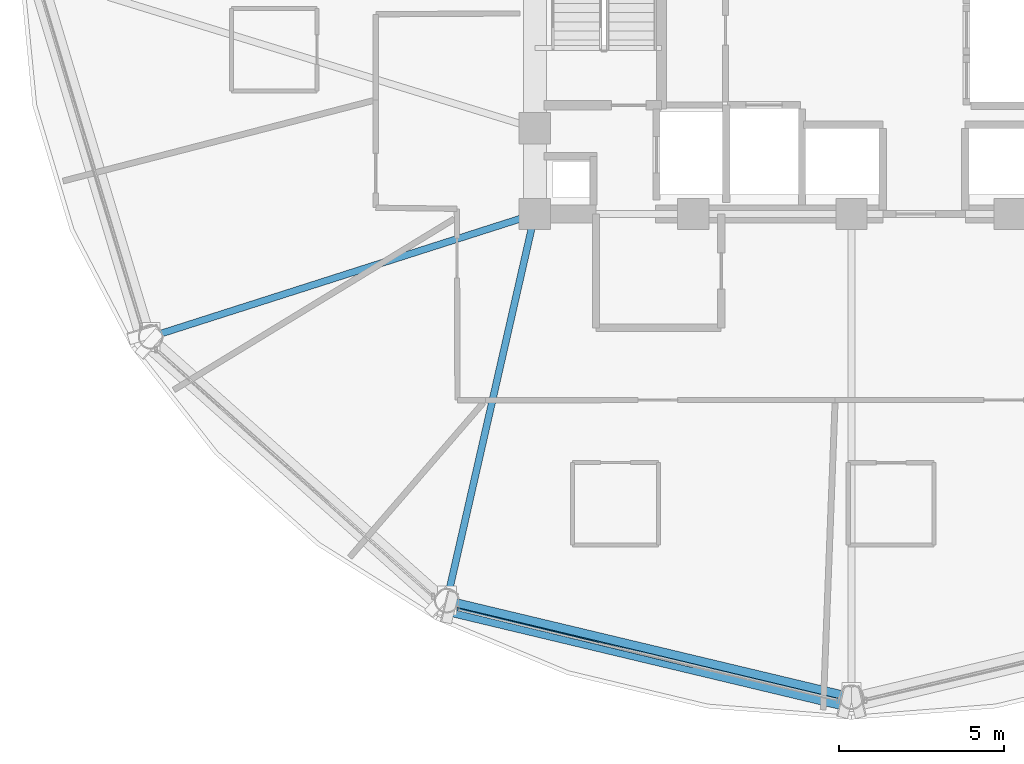
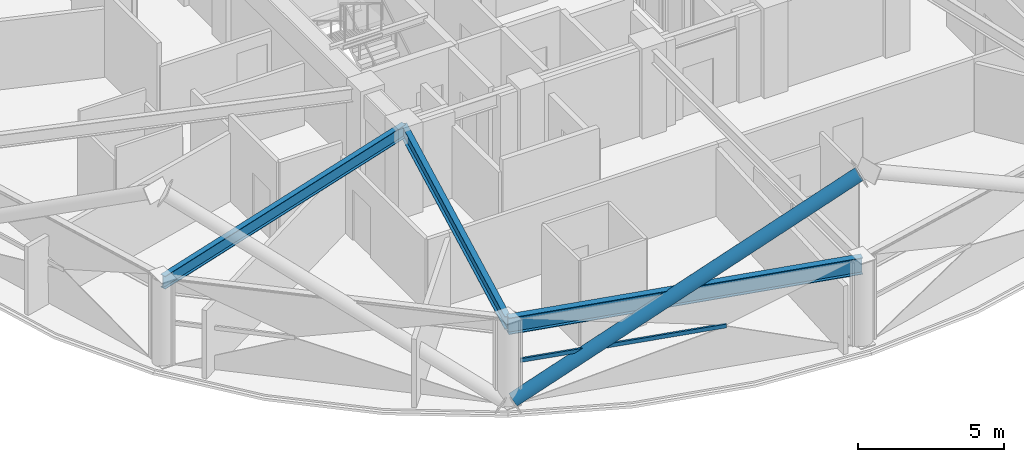
# One storey, part 3 of 29: 3 beams, 2 members, 1 element without a shape of its own.
"""IFC4 building model written with IfcOpenShell, lengths in metres."""

from ifc_helpers import new_model, si_unit, direction, frame, origin, origin_2d, place, context, subcontext, project, spatial, hollow_rectangle, hollow_circle, i_section, extrude, material, layer, layer_set, material_profile, profile_set, type_object, element, aggregate, save


model = new_model("IFC4")

# Units and contexts
model_context = context("Model", 3, precision=1e-05, world=origin(), true_north=direction((0.0, 1.0)))
body_context = subcontext(model_context, "Body", "Model", "MODEL_VIEW")
ifc_project = project(units=[si_unit("LENGTHUNIT", "METRE"), si_unit("AREAUNIT", "SQUARE_METRE"), si_unit("VOLUMEUNIT", "CUBIC_METRE"), si_unit("PLANEANGLEUNIT", "RADIAN"), si_unit("MASSUNIT", "GRAM", prefix="KILO")], contexts=[model_context])

# Site, building, storey
site_placement = place(None, origin())
site = spatial("IfcSite", under=ifc_project, at=site_placement, CompositionType="ELEMENT")
building_placement = place(site_placement, origin())
building = spatial("IfcBuilding", under=site, at=building_placement, Name="Vantalir Tower", CompositionType="ELEMENT")
storey_placement = place(building_placement, frame((0.0, 0.0, 164.699951171875)))
storey = spatial("IfcBuildingStorey", under=building, at=storey_placement, Name="L41", CompositionType="ELEMENT", Elevation=164.699951171875)

# Beams
ifc_material_1 = material(Name="Steel S355", Category="steel")
ifc_material_profile_1 = material_profile(ifc_material_1, i_section(OverallWidth=0.2109375, OverallDepth=0.5390625, WebThickness=0.01171875, FlangeThickness=0.018798828125, at=origin_2d()), Name="Steel S355")
ifc_profile_set_1 = profile_set([ifc_material_profile_1], Name="Steel S355")
beam_type_1 = type_object("IfcBeamType", Name="BM-RB-533x210", PredefinedType="BEAM", material=ifc_profile_set_1)
beam_1_placement = place(storey_placement, frame((10.2509765625, 14.075927734375, 3.301025390625), z_axis=(0.952508018869, 0.30451350379, 0.0), x_axis=(-0.30451350379, 0.952508018869, 0.0)))
element("IfcBeam", 1, at=beam_1_placement, inside=storey, type_object=beam_type_1, Name="L41 Radial Floor Beam 08", PredefinedType="BEAM", context=body_context, shape_type="SweptSolid", body=[
    extrude(i_section(OverallWidth=0.2109375, OverallDepth=0.5390625, WebThickness=0.01171875, FlangeThickness=0.018798828125, at=origin_2d()), origin(), (0.0, 0.0, 1.0), 12.229736328125),
])
beam_2_placement = place(storey_placement, frame((19.23193359375, 6.0791015625, 3.301025390625), z_axis=(0.221946768122, 0.97505878393, 0.0), x_axis=(-0.97505878393, 0.221946768122, 0.0)))
element("IfcBeam", 2, at=beam_2_placement, inside=storey, type_object=beam_type_1, Name="L41 Radial Floor Beam 09", PredefinedType="BEAM", context=body_context, shape_type="SweptSolid", body=[
    extrude(i_section(OverallWidth=0.2109375, OverallDepth=0.5390625, WebThickness=0.01171875, FlangeThickness=0.018798828125, at=origin_2d()), origin(), (0.0, 0.0, 1.0), 12.020751953125),
])
ifc_material_2 = material(Name="Steel S460", Category="steel")
ifc_material_profile_2 = material_profile(ifc_material_2, i_section(OverallWidth=0.256103515625, OverallDepth=0.693115234375, WebThickness=0.014404296875, FlangeThickness=0.023681640625, at=origin_2d()), Name="Steel S460")
ifc_profile_set_2 = profile_set([ifc_material_profile_2], Name="Steel S460")
beam_type_2 = type_object("IfcBeamType", Name="BM-RG-686x254", PredefinedType="USERDEFINED", material=ifc_profile_set_2)
beam_3_placement = place(storey_placement, frame((19.23193359375, 6.0791015625, 3.22412109375), z_axis=(0.972698315596, -0.232073235934, 0.0), x_axis=(0.232073235934, 0.972698315596, 0.0)))
element("IfcBeam", 3, at=beam_3_placement, inside=storey, type_object=beam_type_2, Name="L41 Circumferential Ring Girder 09", ObjectType="GIRDER", PredefinedType="USERDEFINED", context=body_context, shape_type="SweptSolid", body=[
    extrude(i_section(OverallWidth=0.256103515625, OverallDepth=0.693115234375, WebThickness=0.014404296875, FlangeThickness=0.023681640625, at=origin_2d()), origin(), (0.0, 0.0, 1.0), 12.6123046875),
])

# Curtain wall, member
ifc_material_3 = material(Name="Champagne-silver PVDF aluminium and double-silver Low-E glass", Category="aluminium")
ifc_layer = layer(ifc_material_3, 0.199951171875)
ifc_layer_set = layer_set([ifc_layer], Name="Champagne-silver PVDF aluminium and double-silver Low-E glass")
curtain_wall_type = type_object("IfcCurtainWallType", Name="CW-DIAMOND-Z2", PredefinedType="USERDEFINED", material=ifc_layer_set)
curtain_wall_placement = place(storey_placement, origin())
curtain_wall = element("IfcCurtainWall", 4, at=curtain_wall_placement, inside=storey, type_object=curtain_wall_type, Name="L41 Quilted Pyramid-Diamond Curtain Wall S09", ObjectType="UNITISED CURTAIN WALL", PredefinedType="USERDEFINED")
ifc_material_4 = material(Name="Champagne-silver PVDF aluminium 6063-T6", Category="aluminium")
ifc_material_profile_3 = material_profile(ifc_material_4, hollow_rectangle(XDim=0.074951171875, YDim=0.159912109375, WallThickness=0.00390625, at=origin_2d()), Name="Champagne-silver PVDF aluminium 6063-T6")
ifc_profile_set_3 = profile_set([ifc_material_profile_3], Name="Champagne-silver PVDF aluminium 6063-T6")
member_type_1 = type_object("IfcMemberType", Name="CWT-160x75", PredefinedType="USERDEFINED", material=ifc_profile_set_3)
member_1_placement = place(storey_placement, frame((19.56494140625, 5.81298828125, 1.78515625), z_axis=(0.971857956505, -0.235567638647, 0.0), x_axis=(0.235567638647, 0.971857956505, 0.0)))
member_1 = element("IfcMember", 5, at=member_1_placement, type_object=member_type_1, Name="CW-L41-S09 Pyramid Fold Ridge Transom", ObjectType="TRANSOM", PredefinedType="USERDEFINED", context=body_context, shape_type="SweptSolid", body=[
    extrude(hollow_rectangle(XDim=0.074951171875, YDim=0.159912109375, WallThickness=0.00390625, at=origin_2d()), origin(), (0.0, 0.0, 1.0), 7.335693359375),
])
aggregate(curtain_wall, [member_1])

# Member
ifc_material_profile_4 = material_profile(ifc_material_2, hollow_circle(Radius=0.260009765625, WallThickness=0.0380859375, at=origin_2d()), Name="Steel S460")
ifc_profile_set_4 = profile_set([ifc_material_profile_4], Name="Steel S460")
member_type_2 = type_object("IfcMemberType", Name="MEM-DB-520x38", PredefinedType="BRACE", material=ifc_profile_set_4)
member_2_placement = place(storey_placement, frame((19.322998046875, 5.8701171875, 0.18798828125), z_axis=(0.847464333398, -0.202345805513, 0.49077528321), x_axis=(0.232238050254, 0.972658978273, 0.0)))
element("IfcMember", 6, at=member_2_placement, inside=storey, type_object=member_type_2, Name="L41 Perimeter S460 Diagrid Brace R25L", PredefinedType="BRACE", context=body_context, shape_type="SweptSolid", body=[
    extrude(hollow_circle(Radius=0.260009765625, WallThickness=0.0380859375, at=origin_2d()), origin(), (0.0, 0.0, 1.0), 14.149169921875),
])

save(model, "model.ifc")
